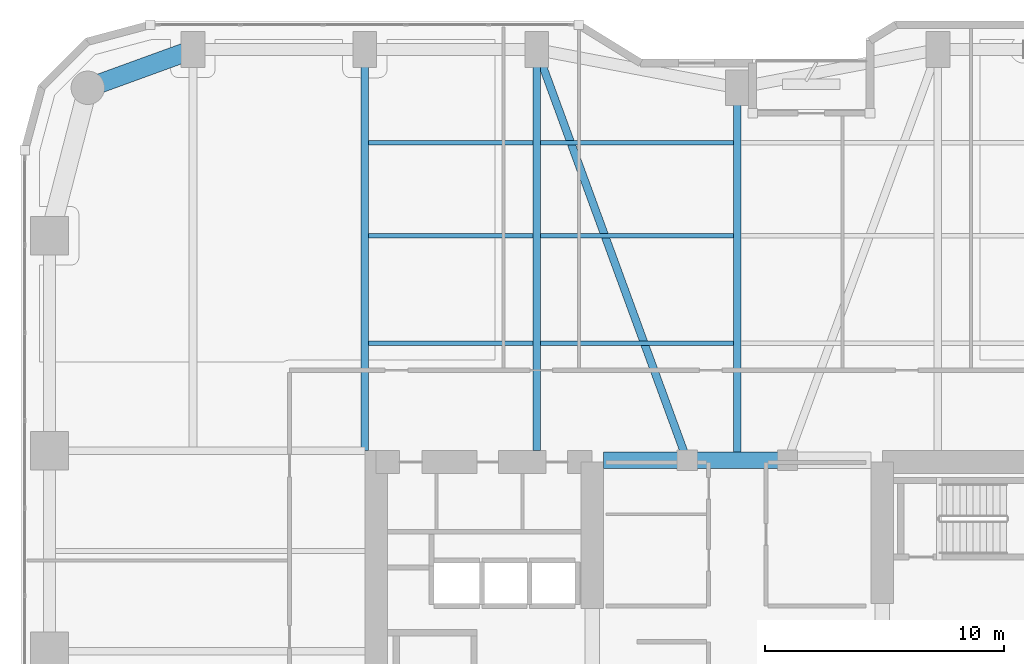
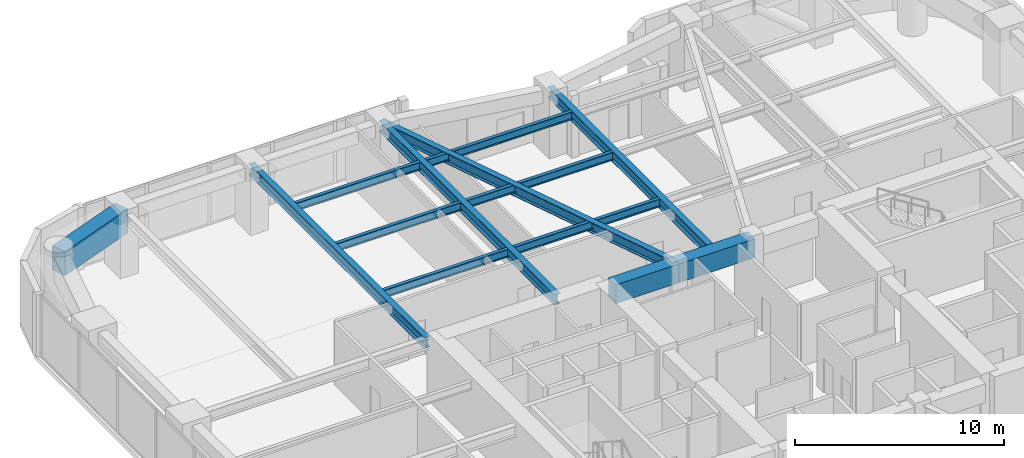
# One storey, part 12 of 24: 13 beams.
"""IFC4 building model written with IfcOpenShell, lengths in metres."""

import ifcopenshell
import ifcopenshell.guid

model = None  # the IFC model being written
_history = None  # IfcOwnerHistory: only IFC2X3 demands one
_inside = {}  # id of a spatial element -> (the spatial element, [elements in it])
_under = {}  # id of a project, library or spatial element -> (it, [spatial elements below it])
_declared = {}  # id of a project -> (the project, [libraries it declares])
_typed = {}  # id of a type object -> (the type object, [elements of that type])
_made_of = {}  # id of a material, layer set ... -> (it, [elements and type objects made of it])


def new_model(schema):
    """Start an empty IFC model of exactly this schema.

    Asked for "IFC4X3", IfcOpenShell would pick the latest addendum, in which some entities
    have other attributes; the version numbers below select the first issue.
    IFC2X3 requires an IfcOwnerHistory on every rooted entity: one is made here for all.
    """
    global model, _history
    if schema == "IFC4X3":
        model = ifcopenshell.file(schema_version=(4, 3, 0, 0))
    else:
        model = ifcopenshell.file(schema=schema)
    _inside.clear()
    _under.clear()
    _declared.clear()
    _typed.clear()
    _made_of.clear()
    _history = None
    if model.schema == "IFC2X3":
        org = make("IfcOrganization", Name="unknown")
        user = make(
            "IfcPersonAndOrganization",
            ThePerson=make("IfcPerson", FamilyName="unknown"),
            TheOrganization=org,
        )
        app = make(
            "IfcApplication",
            ApplicationDeveloper=org,
            Version="unknown",
            ApplicationFullName="unknown",
            ApplicationIdentifier="unknown",
        )
        _history = make(
            "IfcOwnerHistory",
            OwningUser=user,
            OwningApplication=app,
            ChangeAction="ADDED",
            CreationDate=0,
        )
    return model


def make(cls, **values):
    """One entity of the class cls with the attributes given. An attribute that is None is left unset."""
    return model.create_entity(
        cls, **{name: value for name, value in values.items() if value is not None}
    )


def rooted(cls, **values):
    """An entity with a GlobalId (a new one), such as an element, a storey or a relation."""
    return make(cls, GlobalId=ifcopenshell.guid.new(), OwnerHistory=_history, **values)


def si_unit(unit_type, name, prefix=None):
    """IfcSIUnit, for example si_unit("LENGTHUNIT", "METRE", prefix="MILLI")."""
    return make("IfcSIUnit", UnitType=unit_type, Prefix=prefix, Name=name)


def assignment(units):
    """IfcUnitAssignment: the units of a project."""
    return None if units is None else make("IfcUnitAssignment", Units=units)


def point(xyz):
    """IfcCartesianPoint."""
    return None if xyz is None else make("IfcCartesianPoint", Coordinates=xyz)


def direction(xyz):
    """IfcDirection."""
    return None if xyz is None else make("IfcDirection", DirectionRatios=xyz)


def frame(location, z_axis=None, x_axis=None):
    """IfcAxis2Placement3D, a coordinate frame: its origin and axes. An axis left out is left unset."""
    return make(
        "IfcAxis2Placement3D",
        Location=point(location),
        Axis=direction(z_axis),
        RefDirection=direction(x_axis),
    )


def frame_2d(location, x_axis=None):
    """IfcAxis2Placement2D, a coordinate frame in the plane: its origin and x axis."""
    return make(
        "IfcAxis2Placement2D", Location=point(location), RefDirection=direction(x_axis)
    )


def origin():
    """The frame at (0, 0, 0) with its axes left unset."""
    return frame((0.0, 0.0, 0.0))


def origin_2d():
    """The frame at (0, 0) in the plane with its x axis left unset."""
    return frame_2d((0.0, 0.0))


def place(relative_to, where):
    """IfcLocalPlacement: puts the frame where relative to a parent placement (None: the world)."""
    return make(
        "IfcLocalPlacement", PlacementRelTo=relative_to, RelativePlacement=where
    )


def context(
    kind, dimensions, precision=None, world=None, true_north=None, identifier=None
):
    """IfcGeometricRepresentationContext, for example the 3D "Model" context."""
    return make(
        "IfcGeometricRepresentationContext",
        ContextIdentifier=identifier,
        ContextType=kind,
        CoordinateSpaceDimension=dimensions,
        Precision=precision,
        WorldCoordinateSystem=world,
        TrueNorth=true_north,
    )


def subcontext(parent, identifier, kind, view, scale=None):
    """IfcGeometricRepresentationSubContext, for example "Body" below "Model"."""
    return make(
        "IfcGeometricRepresentationSubContext",
        ContextIdentifier=identifier,
        ContextType=kind,
        ParentContext=parent,
        TargetScale=scale,
        TargetView=view,
    )


def project(units=None, contexts=None):
    """IfcProject with its units and contexts."""
    return rooted(
        "IfcProject",
        Name="project",
        RepresentationContexts=contexts,
        UnitsInContext=assignment(units),
    )


def spatial(cls, under=None, at=None, **own):
    """A site, building, storey or space (cls), placed at a placement, below another one or the project."""
    s = rooted(cls, ObjectPlacement=at, **own)
    if under is not None:
        _under.setdefault(under.id(), (under, []))[1].append(s)
    return s


def profile(cls, at=None, kind="AREA", **sizes):
    """A parametric profile (cls). Its sizes go by their IFC names, for example OverallWidth=200.0."""
    return make(cls, ProfileType=kind, Position=at, **sizes)


def rectangle(**sizes):
    """IfcRectangleProfileDef."""
    return profile("IfcRectangleProfileDef", **sizes)


def i_section(**sizes):
    """IfcIShapeProfileDef."""
    return profile("IfcIShapeProfileDef", **sizes)


def extrude(swept, where, along, depth):
    """IfcExtrudedAreaSolid: the profile swept, set in the frame where, extruded along a direction by depth."""
    return make(
        "IfcExtrudedAreaSolid",
        SweptArea=swept,
        Position=where,
        ExtrudedDirection=direction(along),
        Depth=depth,
    )


def shape(context_of_items, identifier, shape_type, items):
    """IfcShapeRepresentation: the items that make up one representation, for example the "Body"."""
    return make(
        "IfcShapeRepresentation",
        ContextOfItems=context_of_items,
        RepresentationIdentifier=identifier,
        RepresentationType=shape_type,
        Items=items,
    )


def material(Name=None, Category=None):
    """IfcMaterial."""
    return make("IfcMaterial", Name=Name, Category=Category)


def material_profile(
    of_material, cross_section, Name=None, Category=None, Priority=None
):
    """IfcMaterialProfile: a cross section and its material."""
    return make(
        "IfcMaterialProfile",
        Name=Name,
        Material=of_material,
        Profile=cross_section,
        Priority=Priority,
        Category=Category,
    )


def profile_set(profiles, Name=None, composite=None):
    """IfcMaterialProfileSet."""
    return make(
        "IfcMaterialProfileSet",
        Name=Name,
        MaterialProfiles=profiles,
        CompositeProfile=composite,
    )


def made_of(thing, what):
    """Note that an element or type object is made of a material, layer set ...; save() writes the relation."""
    if what is not None:
        _made_of.setdefault(what.id(), (what, []))[1].append(thing)
    return thing


def type_object(cls, material=None, **own):
    """A type object (cls), such as IfcWallType, which elements share."""
    return made_of(rooted(cls, **own), material)


def element(
    cls,
    number,
    at=None,
    inside=None,
    cuts=None,
    type_object=None,
    material=None,
    context=None,
    identifier="Body",
    shape_type=None,
    held_by="IfcProductDefinitionShape",
    body=None,
    shapes=None,
    **own,
):
    """One element of the class cls, such as IfcWall. Its Tag is "e" and its number.

    at: its placement. inside: the storey or other place that contains it. cuts: it is an
    opening in that element (IfcRelVoidsElement). A single representation is given by context,
    identifier, shape_type and body (its items); several are given by shapes. held_by: the class
    of the entity that holds the representations. save() writes the other relations.
    """
    e = rooted(cls, Tag="e%d" % number, ObjectPlacement=at, **own)
    if body is not None:
        shapes = [shape(context, identifier, shape_type, body)]
    if shapes is not None:
        e.Representation = make(held_by, Representations=shapes)
    if inside is not None:
        _inside.setdefault(inside.id(), (inside, []))[1].append(e)
    if cuts is not None:
        rooted(
            "IfcRelVoidsElement", RelatingBuildingElement=cuts, RelatedOpeningElement=e
        )
    if type_object is not None:
        _typed.setdefault(type_object.id(), (type_object, []))[1].append(e)
    return made_of(e, material)


def aggregate(whole, parts):
    """IfcRelAggregates: a whole, such as a stair, and the parts it consists of."""
    return rooted("IfcRelAggregates", RelatingObject=whole, RelatedObjects=parts)


def save(model, path):
    """Write the relations noted so far, then the file.

    IfcRelAggregates (storeys below a building ...), IfcRelContainedInSpatialStructure (elements
    in a storey), IfcRelDefinesByType, IfcRelAssociatesMaterial and IfcRelDeclares: one each for
    every whole, place, type object, material and project.
    """
    for whole, parts in _under.values():
        aggregate(whole, parts)
    for where, things in _inside.values():
        rooted(
            "IfcRelContainedInSpatialStructure",
            RelatedElements=things,
            RelatingStructure=where,
        )
    for kind, things in _typed.values():
        rooted("IfcRelDefinesByType", RelatedObjects=things, RelatingType=kind)
    for what, things in _made_of.values():
        rooted("IfcRelAssociatesMaterial", RelatedObjects=things, RelatingMaterial=what)
    for by, libraries in _declared.values():
        rooted("IfcRelDeclares", RelatingContext=by, RelatedDefinitions=libraries)
    model.write(path)


model = new_model("IFC4")

# Units and contexts
model_context = context("Model", 3, precision=1e-05, world=origin(), true_north=direction((0.0, 1.0)))
body_context = subcontext(model_context, "Body", "Model", "MODEL_VIEW")
ifc_project = project(units=[si_unit("LENGTHUNIT", "METRE"), si_unit("AREAUNIT", "SQUARE_METRE"), si_unit("VOLUMEUNIT", "CUBIC_METRE"), si_unit("PLANEANGLEUNIT", "RADIAN"), si_unit("MASSUNIT", "GRAM", prefix="KILO")], contexts=[model_context])

# Site, building, storey
site_placement = place(None, origin())
site = spatial("IfcSite", under=ifc_project, at=site_placement, CompositionType="ELEMENT")
building_placement = place(site_placement, origin())
building = spatial("IfcBuilding", under=site, at=building_placement, Name="Kiyonajd Concourse Tower", CompositionType="ELEMENT")
storey_placement = place(building_placement, frame((0.0, 0.0, 89.699951171875)))
storey = spatial("IfcBuildingStorey", under=building, at=storey_placement, Name="L23", CompositionType="ELEMENT", Elevation=89.699951171875)

# Beams
ifc_material_1 = material(Name="Concrete C70/85", Category="concrete")
ifc_material_profile_1 = material_profile(ifc_material_1, rectangle(XDim=0.699951171875, YDim=1.10009765625, at=origin_2d()), Name="RCBM-700x1100")
ifc_profile_set_1 = profile_set([ifc_material_profile_1], Name="Concrete C70/85")
beam_type_1 = type_object("IfcBeamType", Name="BM-COUP-1100", PredefinedType="LINTEL", material=ifc_profile_set_1)
beam_1_placement = place(storey_placement, frame((42.39990234375, 44.0, 3.090087890625), z_axis=(1.0, 0.0, 0.0), x_axis=(0.0, 1.0, 0.0)))
element("IfcBeam", 1, at=beam_1_placement, inside=storey, type_object=beam_type_1, Name="L23 Core Coupling Beam N1", PredefinedType="LINTEL", context=body_context, shape_type="SweptSolid", body=[
    extrude(rectangle(XDim=0.699951171875, YDim=1.10009765625, at=origin_2d()), origin(), (0.0, 0.0, 1.0), 3.5),
])
beam_2_placement = place(storey_placement, frame((45.89990234375, 44.0, 3.090087890625), z_axis=(1.0, 0.0, 0.0), x_axis=(0.0, 1.0, 0.0)))
element("IfcBeam", 2, at=beam_2_placement, inside=storey, type_object=beam_type_1, Name="L23 Core Coupling Beam N2", PredefinedType="LINTEL", context=body_context, shape_type="SweptSolid", body=[
    extrude(rectangle(XDim=0.699951171875, YDim=1.10009765625, at=origin_2d()), origin(), (0.0, 0.0, 1.0), 4.2001953125),
])
ifc_material_2 = material(Name="Steel ASTM A992 Grade 50", Category="steel")
ifc_material_profile_2 = material_profile(ifc_material_2, i_section(OverallWidth=0.19189453125, OverallDepth=0.462890625, WebThickness=0.010498046875, FlangeThickness=0.017578125, at=origin_2d()), Name="W460X89")
ifc_profile_set_2 = profile_set([ifc_material_profile_2], Name="Steel ASTM A992 Grade 50")
beam_type_2 = type_object("IfcBeamType", Name="BM-JST-460B", PredefinedType="JOIST", material=ifc_profile_set_2)
beam_3_placement = place(storey_placement, frame((32.5634765625, 48.89990234375, 3.408447265625), z_axis=(1.0, 0.0, 0.0), x_axis=(0.0, 1.0, 0.0)))
element("IfcBeam", 3, at=beam_3_placement, inside=storey, type_object=beam_type_2, Name="L23 Secondary Floor Joist", PredefinedType="JOIST", context=body_context, shape_type="SweptSolid", body=[
    extrude(i_section(OverallWidth=0.19189453125, OverallDepth=0.462890625, WebThickness=0.010498046875, FlangeThickness=0.017578125, at=origin_2d()), origin(), (0.0, 0.0, 1.0), 6.873046875),
])
beam_4_placement = place(storey_placement, frame((39.763427734375, 48.89990234375, 3.408447265625), z_axis=(1.0, 0.0, 0.0), x_axis=(0.0, 1.0, 0.0)))
element("IfcBeam", 4, at=beam_4_placement, inside=storey, type_object=beam_type_2, Name="L23 Secondary Floor Joist", PredefinedType="JOIST", context=body_context, shape_type="SweptSolid", body=[
    extrude(i_section(OverallWidth=0.19189453125, OverallDepth=0.462890625, WebThickness=0.010498046875, FlangeThickness=0.017578125, at=origin_2d()), origin(), (0.0, 0.0, 1.0), 8.072998046875),
])
beam_5_placement = place(storey_placement, frame((32.5634765625, 53.39990234375, 3.408447265625), z_axis=(1.0, 0.0, 0.0), x_axis=(0.0, 1.0, 0.0)))
element("IfcBeam", 5, at=beam_5_placement, inside=storey, type_object=beam_type_2, Name="L23 Secondary Floor Joist", PredefinedType="JOIST", context=body_context, shape_type="SweptSolid", body=[
    extrude(i_section(OverallWidth=0.19189453125, OverallDepth=0.462890625, WebThickness=0.010498046875, FlangeThickness=0.017578125, at=origin_2d()), origin(), (0.0, 0.0, 1.0), 6.873046875),
])
beam_6_placement = place(storey_placement, frame((39.763427734375, 53.39990234375, 3.408447265625), z_axis=(1.0, 0.0, 0.0), x_axis=(0.0, 1.0, 0.0)))
element("IfcBeam", 6, at=beam_6_placement, inside=storey, type_object=beam_type_2, Name="L23 Secondary Floor Joist", PredefinedType="JOIST", context=body_context, shape_type="SweptSolid", body=[
    extrude(i_section(OverallWidth=0.19189453125, OverallDepth=0.462890625, WebThickness=0.010498046875, FlangeThickness=0.017578125, at=origin_2d()), origin(), (0.0, 0.0, 1.0), 8.072998046875),
])
beam_7_placement = place(storey_placement, frame((32.5634765625, 57.300048828125, 3.408447265625), z_axis=(1.0, 0.0, 0.0), x_axis=(0.0, 1.0, 0.0)))
element("IfcBeam", 7, at=beam_7_placement, inside=storey, type_object=beam_type_2, Name="L23 Secondary Floor Joist", PredefinedType="JOIST", context=body_context, shape_type="SweptSolid", body=[
    extrude(i_section(OverallWidth=0.19189453125, OverallDepth=0.462890625, WebThickness=0.010498046875, FlangeThickness=0.017578125, at=origin_2d()), origin(), (0.0, 0.0, 1.0), 6.873046875),
])
beam_8_placement = place(storey_placement, frame((39.763427734375, 57.300048828125, 3.408447265625), z_axis=(1.0, 0.0, 0.0), x_axis=(0.0, 1.0, 0.0)))
element("IfcBeam", 8, at=beam_8_placement, inside=storey, type_object=beam_type_2, Name="L23 Secondary Floor Joist", PredefinedType="JOIST", context=body_context, shape_type="SweptSolid", body=[
    extrude(i_section(OverallWidth=0.19189453125, OverallDepth=0.462890625, WebThickness=0.010498046875, FlangeThickness=0.017578125, at=origin_2d()), origin(), (0.0, 0.0, 1.0), 8.072998046875),
])
ifc_material_profile_3 = material_profile(ifc_material_2, i_section(OverallWidth=0.326904296875, OverallDepth=0.6220703125, WebThickness=0.015380859375, FlangeThickness=0.0244140625, at=origin_2d()), Name="W610X195")
ifc_profile_set_3 = profile_set([ifc_material_profile_3], Name="Steel ASTM A992 Grade 50")
beam_type_3 = type_object("IfcBeamType", Name="BM-TWR-610A", PredefinedType="BEAM", material=ifc_profile_set_3)
beam_9_placement = place(storey_placement, frame((39.60009765625, 61.199951171875, 3.3291015625), z_axis=(0.343925269715, -0.938997022813, 0.0), x_axis=(0.938997022813, 0.343925269715, 0.0)))
element("IfcBeam", 9, at=beam_9_placement, inside=storey, type_object=beam_type_3, Name="L23 Core Tie Girder", PredefinedType="BEAM", context=body_context, shape_type="SweptSolid", body=[
    extrude(i_section(OverallWidth=0.326904296875, OverallDepth=0.6220703125, WebThickness=0.015380859375, FlangeThickness=0.0244140625, at=origin_2d()), origin(), (0.0, 0.0, 1.0), 18.3173828125),
])
for number, where, z_axis, x_axis, name in (
    (10, (32.39990234375, 44.39990234375, 3.3291015625), (0.0, 1.0, 0.0), (-1.0, 0.0, 0.0), "L23 North Lease Girder"),
    (11, (39.60009765625, 44.39990234375, 3.3291015625), (0.0, 1.0, 0.0), (-1.0, 0.0, 0.0), "L23 North Lease Girder"),
):
    element("IfcBeam", number, at=place(storey_placement, frame(where, z_axis=z_axis, x_axis=x_axis)), inside=storey, type_object=beam_type_3, Name=name, PredefinedType="BEAM", context=body_context, shape_type="SweptSolid", body=[
        extrude(i_section(OverallWidth=0.326904296875, OverallDepth=0.6220703125, WebThickness=0.015380859375, FlangeThickness=0.0244140625, at=origin_2d()), origin(), (0.0, 0.0, 1.0), 16.800048828125),
    ])
beam_10_placement = place(storey_placement, frame((48.0, 44.0, 3.3291015625), z_axis=(0.0, 1.0, 0.0), x_axis=(-1.0, 0.0, 0.0)))
element("IfcBeam", 12, at=beam_10_placement, inside=storey, type_object=beam_type_3, Name="L23 North Ribbon Girder", PredefinedType="BEAM", context=body_context, shape_type="SweptSolid", body=[
    extrude(i_section(OverallWidth=0.326904296875, OverallDepth=0.6220703125, WebThickness=0.015380859375, FlangeThickness=0.0244140625, at=origin_2d()), origin(), (0.0, 0.0, 1.0), 15.60009765625),
])
ifc_material_3 = material(Name="Concrete C60/75", Category="concrete")
ifc_material_profile_4 = material_profile(ifc_material_3, rectangle(XDim=0.800048828125, YDim=1.39990234375, at=origin_2d()), Name="RCBM-800x1400")
ifc_profile_set_4 = profile_set([ifc_material_profile_4], Name="Concrete C60/75")
beam_type_4 = type_object("IfcBeamType", Name="BM-XFER-RC", PredefinedType="BEAM", material=ifc_profile_set_4)
beam_11_placement = place(storey_placement, frame((25.199951171875, 61.199951171875, 2.93994140625), z_axis=(-0.939801036019, -0.341722127901, 0.0), x_axis=(0.341722127901, -0.939801036019, 0.0)))
element("IfcBeam", 13, at=beam_11_placement, inside=storey, type_object=beam_type_4, Name="L23 Perimeter Bundled Tube Spandrel", PredefinedType="BEAM", context=body_context, shape_type="SweptSolid", body=[
    extrude(rectangle(XDim=0.800048828125, YDim=1.39990234375, at=origin_2d()), origin(), (0.0, 0.0, 1.0), 4.681640625),
])

save(model, "model.ifc")
